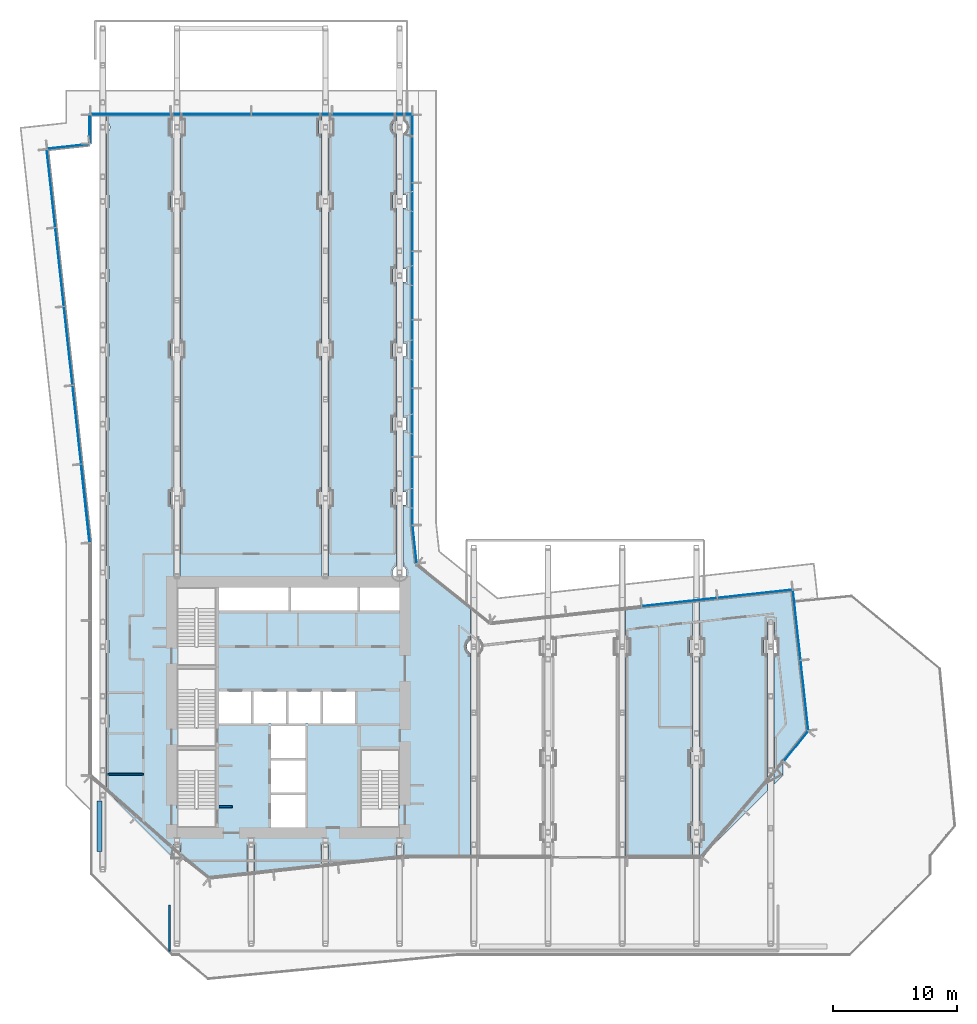
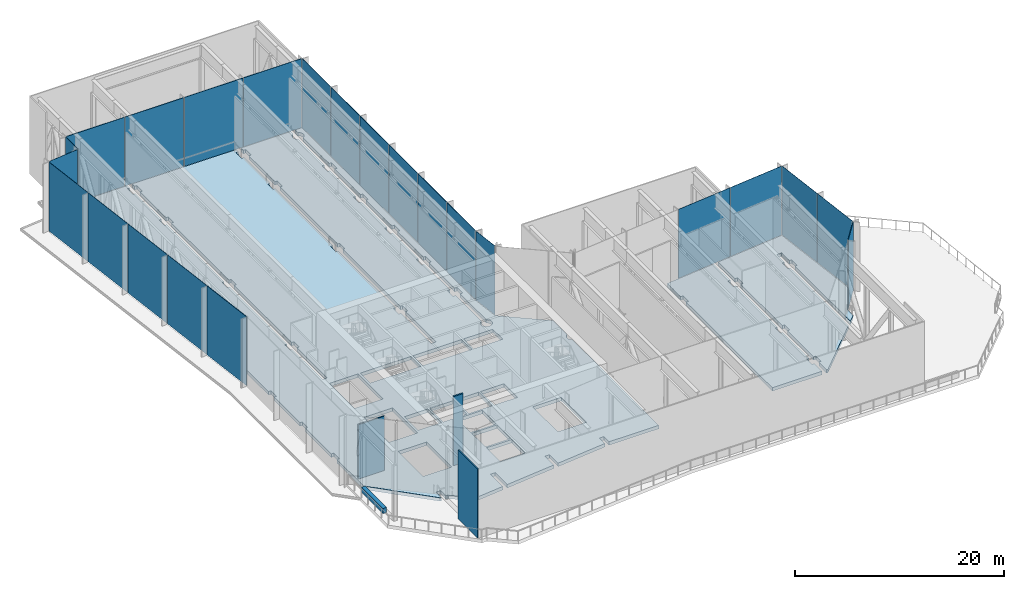
# One storey, part 13 of 25: 23 plates, 4 walls, 3 slabs, 9 elements without a shape of their own.
"""IFC4 building model written with IfcOpenShell, lengths in metres."""

import ifcopenshell
import ifcopenshell.guid

model = None  # the IFC model being written
_history = None  # IfcOwnerHistory: only IFC2X3 demands one
_inside = {}  # id of a spatial element -> (the spatial element, [elements in it])
_under = {}  # id of a project, library or spatial element -> (it, [spatial elements below it])
_declared = {}  # id of a project -> (the project, [libraries it declares])
_typed = {}  # id of a type object -> (the type object, [elements of that type])
_made_of = {}  # id of a material, layer set ... -> (it, [elements and type objects made of it])


def new_model(schema):
    """Start an empty IFC model of exactly this schema.

    Asked for "IFC4X3", IfcOpenShell would pick the latest addendum, in which some entities
    have other attributes; the version numbers below select the first issue.
    IFC2X3 requires an IfcOwnerHistory on every rooted entity: one is made here for all.
    """
    global model, _history
    if schema == "IFC4X3":
        model = ifcopenshell.file(schema_version=(4, 3, 0, 0))
    else:
        model = ifcopenshell.file(schema=schema)
    _inside.clear()
    _under.clear()
    _declared.clear()
    _typed.clear()
    _made_of.clear()
    _history = None
    if model.schema == "IFC2X3":
        org = make("IfcOrganization", Name="unknown")
        user = make(
            "IfcPersonAndOrganization",
            ThePerson=make("IfcPerson", FamilyName="unknown"),
            TheOrganization=org,
        )
        app = make(
            "IfcApplication",
            ApplicationDeveloper=org,
            Version="unknown",
            ApplicationFullName="unknown",
            ApplicationIdentifier="unknown",
        )
        _history = make(
            "IfcOwnerHistory",
            OwningUser=user,
            OwningApplication=app,
            ChangeAction="ADDED",
            CreationDate=0,
        )
    return model


def make(cls, **values):
    """One entity of the class cls with the attributes given. An attribute that is None is left unset."""
    return model.create_entity(
        cls, **{name: value for name, value in values.items() if value is not None}
    )


def rooted(cls, **values):
    """An entity with a GlobalId (a new one), such as an element, a storey or a relation."""
    return make(cls, GlobalId=ifcopenshell.guid.new(), OwnerHistory=_history, **values)


def si_unit(unit_type, name, prefix=None):
    """IfcSIUnit, for example si_unit("LENGTHUNIT", "METRE", prefix="MILLI")."""
    return make("IfcSIUnit", UnitType=unit_type, Prefix=prefix, Name=name)


def assignment(units):
    """IfcUnitAssignment: the units of a project."""
    return None if units is None else make("IfcUnitAssignment", Units=units)


def point(xyz):
    """IfcCartesianPoint."""
    return None if xyz is None else make("IfcCartesianPoint", Coordinates=xyz)


def direction(xyz):
    """IfcDirection."""
    return None if xyz is None else make("IfcDirection", DirectionRatios=xyz)


def frame(location, z_axis=None, x_axis=None):
    """IfcAxis2Placement3D, a coordinate frame: its origin and axes. An axis left out is left unset."""
    return make(
        "IfcAxis2Placement3D",
        Location=point(location),
        Axis=direction(z_axis),
        RefDirection=direction(x_axis),
    )


def frame_2d(location, x_axis=None):
    """IfcAxis2Placement2D, a coordinate frame in the plane: its origin and x axis."""
    return make(
        "IfcAxis2Placement2D", Location=point(location), RefDirection=direction(x_axis)
    )


def origin():
    """The frame at (0, 0, 0) with its axes left unset."""
    return frame((0.0, 0.0, 0.0))


def origin_2d():
    """The frame at (0, 0) in the plane with its x axis left unset."""
    return frame_2d((0.0, 0.0))


def place(relative_to, where):
    """IfcLocalPlacement: puts the frame where relative to a parent placement (None: the world)."""
    return make(
        "IfcLocalPlacement", PlacementRelTo=relative_to, RelativePlacement=where
    )


def context(
    kind, dimensions, precision=None, world=None, true_north=None, identifier=None
):
    """IfcGeometricRepresentationContext, for example the 3D "Model" context."""
    return make(
        "IfcGeometricRepresentationContext",
        ContextIdentifier=identifier,
        ContextType=kind,
        CoordinateSpaceDimension=dimensions,
        Precision=precision,
        WorldCoordinateSystem=world,
        TrueNorth=true_north,
    )


def subcontext(parent, identifier, kind, view, scale=None):
    """IfcGeometricRepresentationSubContext, for example "Body" below "Model"."""
    return make(
        "IfcGeometricRepresentationSubContext",
        ContextIdentifier=identifier,
        ContextType=kind,
        ParentContext=parent,
        TargetScale=scale,
        TargetView=view,
    )


def project(units=None, contexts=None):
    """IfcProject with its units and contexts."""
    return rooted(
        "IfcProject",
        Name="project",
        RepresentationContexts=contexts,
        UnitsInContext=assignment(units),
    )


def spatial(cls, under=None, at=None, **own):
    """A site, building, storey or space (cls), placed at a placement, below another one or the project."""
    s = rooted(cls, ObjectPlacement=at, **own)
    if under is not None:
        _under.setdefault(under.id(), (under, []))[1].append(s)
    return s


def polyline(points):
    """IfcPolyline through the points."""
    return make("IfcPolyline", Points=[point(p) for p in points])


def profile(cls, at=None, kind="AREA", **sizes):
    """A parametric profile (cls). Its sizes go by their IFC names, for example OverallWidth=200.0."""
    return make(cls, ProfileType=kind, Position=at, **sizes)


def rectangle(**sizes):
    """IfcRectangleProfileDef."""
    return profile("IfcRectangleProfileDef", **sizes)


def outline(outer, holes=None, kind="AREA"):
    """IfcArbitraryClosedProfileDef: a profile drawn as a closed curve; with holes, ...WithVoids."""
    if holes is None:
        return make("IfcArbitraryClosedProfileDef", ProfileType=kind, OuterCurve=outer)
    return make(
        "IfcArbitraryProfileDefWithVoids",
        ProfileType=kind,
        OuterCurve=outer,
        InnerCurves=holes,
    )


def extrude(swept, where, along, depth):
    """IfcExtrudedAreaSolid: the profile swept, set in the frame where, extruded along a direction by depth."""
    return make(
        "IfcExtrudedAreaSolid",
        SweptArea=swept,
        Position=where,
        ExtrudedDirection=direction(along),
        Depth=depth,
    )


def shape(context_of_items, identifier, shape_type, items):
    """IfcShapeRepresentation: the items that make up one representation, for example the "Body"."""
    return make(
        "IfcShapeRepresentation",
        ContextOfItems=context_of_items,
        RepresentationIdentifier=identifier,
        RepresentationType=shape_type,
        Items=items,
    )


def material(Name=None, Category=None):
    """IfcMaterial."""
    return make("IfcMaterial", Name=Name, Category=Category)


def layer(
    of_material, thickness, ventilated=None, Name=None, Category=None, Priority=None
):
    """IfcMaterialLayer: one layer of a wall or slab, of a material (None: an air gap)."""
    return make(
        "IfcMaterialLayer",
        Material=of_material,
        LayerThickness=thickness,
        IsVentilated=ventilated,
        Name=Name,
        Category=Category,
        Priority=Priority,
    )


def layer_set(layers, Name=None):
    """IfcMaterialLayerSet."""
    return make("IfcMaterialLayerSet", MaterialLayers=layers, LayerSetName=Name)


def made_of(thing, what):
    """Note that an element or type object is made of a material, layer set ...; save() writes the relation."""
    if what is not None:
        _made_of.setdefault(what.id(), (what, []))[1].append(thing)
    return thing


def type_object(cls, material=None, **own):
    """A type object (cls), such as IfcWallType, which elements share."""
    return made_of(rooted(cls, **own), material)


def element(
    cls,
    number,
    at=None,
    inside=None,
    cuts=None,
    type_object=None,
    material=None,
    context=None,
    identifier="Body",
    shape_type=None,
    held_by="IfcProductDefinitionShape",
    body=None,
    shapes=None,
    **own,
):
    """One element of the class cls, such as IfcWall. Its Tag is "e" and its number.

    at: its placement. inside: the storey or other place that contains it. cuts: it is an
    opening in that element (IfcRelVoidsElement). A single representation is given by context,
    identifier, shape_type and body (its items); several are given by shapes. held_by: the class
    of the entity that holds the representations. save() writes the other relations.
    """
    e = rooted(cls, Tag="e%d" % number, ObjectPlacement=at, **own)
    if body is not None:
        shapes = [shape(context, identifier, shape_type, body)]
    if shapes is not None:
        e.Representation = make(held_by, Representations=shapes)
    if inside is not None:
        _inside.setdefault(inside.id(), (inside, []))[1].append(e)
    if cuts is not None:
        rooted(
            "IfcRelVoidsElement", RelatingBuildingElement=cuts, RelatedOpeningElement=e
        )
    if type_object is not None:
        _typed.setdefault(type_object.id(), (type_object, []))[1].append(e)
    return made_of(e, material)


def aggregate(whole, parts):
    """IfcRelAggregates: a whole, such as a stair, and the parts it consists of."""
    return rooted("IfcRelAggregates", RelatingObject=whole, RelatedObjects=parts)


def save(model, path):
    """Write the relations noted so far, then the file.

    IfcRelAggregates (storeys below a building ...), IfcRelContainedInSpatialStructure (elements
    in a storey), IfcRelDefinesByType, IfcRelAssociatesMaterial and IfcRelDeclares: one each for
    every whole, place, type object, material and project.
    """
    for whole, parts in _under.values():
        aggregate(whole, parts)
    for where, things in _inside.values():
        rooted(
            "IfcRelContainedInSpatialStructure",
            RelatedElements=things,
            RelatingStructure=where,
        )
    for kind, things in _typed.values():
        rooted("IfcRelDefinesByType", RelatedObjects=things, RelatingType=kind)
    for what, things in _made_of.values():
        rooted("IfcRelAssociatesMaterial", RelatedObjects=things, RelatingMaterial=what)
    for by, libraries in _declared.values():
        rooted("IfcRelDeclares", RelatingContext=by, RelatedDefinitions=libraries)
    model.write(path)


model = new_model("IFC4")

# Units and contexts
model_context = context("Model", 3, precision=1e-05, world=origin(), true_north=direction((0.0, 1.0)))
body_context = subcontext(model_context, "Body", "Model", "MODEL_VIEW")
ifc_project = project(units=[si_unit("LENGTHUNIT", "METRE"), si_unit("AREAUNIT", "SQUARE_METRE"), si_unit("VOLUMEUNIT", "CUBIC_METRE"), si_unit("PLANEANGLEUNIT", "RADIAN"), si_unit("MASSUNIT", "GRAM", prefix="KILO")], contexts=[model_context])

# Site, building, storey
site_placement = place(None, origin())
site = spatial("IfcSite", under=ifc_project, at=site_placement, CompositionType="ELEMENT")
building_placement = place(site_placement, origin())
building = spatial("IfcBuilding", under=site, at=building_placement, Name="Welwitschia Terrace Campus", CompositionType="ELEMENT")
storey_placement = place(building_placement, frame((0.0, 0.0, 79.39990234375)))
storey = spatial("IfcBuildingStorey", under=building, at=storey_placement, Name="L18", CompositionType="ELEMENT", Elevation=79.39990234375)

# Curtain wall, plate
ifc_material_1 = material(Name="Bronze anodised aluminium", Category="aluminium")
ifc_layer_1 = layer(ifc_material_1, 0.159912109375)
ifc_layer_set_1 = layer_set([ifc_layer_1], Name="Bronze anodised aluminium")
curtain_wall_type = type_object("IfcCurtainWallType", Name="Curtain wall CW3 commons 6000", PredefinedType="NOTDEFINED", material=ifc_layer_set_1)
curtain_wall_1_placement = place(storey_placement, origin())
curtain_wall_1 = element("IfcCurtainWall", 1, at=curtain_wall_1_placement, inside=storey, type_object=curtain_wall_type, Name="CW L18.2.0", PredefinedType="NOTDEFINED")
ifc_material_2 = material(Name="Tinted bronze-grey glass", Category="glass")
ifc_layer_2 = layer(ifc_material_2, 0.031982421875)
ifc_layer_set_2 = layer_set([ifc_layer_2], Name="Tinted bronze-grey glass")
plate_type_1 = type_object("IfcPlateType", Name="Glass panel 32 tinted", PredefinedType="CURTAIN_PANEL", material=ifc_layer_set_2)
plate_1_placement = place(storey_placement, frame((-2.794677734375, 60.44873046875, 0.0), z_axis=(0.0, 0.0, 1.0), x_axis=(-0.994056338222, -0.108866874852, 0.0)))
plate_1 = element("IfcPlate", 2, at=plate_1_placement, type_object=plate_type_1, Name="Panel L18.2.0.0", PredefinedType="CURTAIN_PANEL", context=body_context, shape_type="SweptSolid", body=[
    extrude(rectangle(XDim=3.390380859375, YDim=0.031982421875, at=origin_2d()), origin(), (0.0, 0.0, 1.0), 8.050048828125),
])
aggregate(curtain_wall_1, [plate_1])

# Curtain wall, plates
curtain_wall_2_placement = place(storey_placement, origin())
curtain_wall_2 = element("IfcCurtainWall", 3, at=curtain_wall_2_placement, inside=storey, type_object=curtain_wall_type, Name="CW L18.3.0", PredefinedType="NOTDEFINED")
plate_2_placement = place(storey_placement, frame((-4.188720703125, 57.056396484375, 0.0), z_axis=(0.0, 0.0, 1.0), x_axis=(0.108866874852, -0.994056338222, 0.0)))
plate_2 = element("IfcPlate", 4, at=plate_2_placement, type_object=plate_type_1, Name="Panel L18.3.0.0", PredefinedType="CURTAIN_PANEL", context=body_context, shape_type="SweptSolid", body=[
    extrude(rectangle(XDim=6.3203125, YDim=0.031982421875, at=origin_2d()), origin(), (0.0, 0.0, 1.0), 8.050048828125),
])
plate_3_placement = place(storey_placement, frame((-3.49267578125, 50.69921875, 0.0), z_axis=(0.0, 0.0, 1.0), x_axis=(0.108866874852, -0.994056338222, 0.0)))
plate_3 = element("IfcPlate", 5, at=plate_3_placement, type_object=plate_type_1, Name="Panel L18.3.0.1", PredefinedType="CURTAIN_PANEL", context=body_context, shape_type="SweptSolid", body=[
    extrude(rectangle(XDim=6.350341796875, YDim=0.031982421875, at=origin_2d()), origin(), (0.0, 0.0, 1.0), 8.050048828125),
])
plate_4_placement = place(storey_placement, frame((-2.794677734375, 44.326904296875, 0.0), z_axis=(0.0, 0.0, 1.0), x_axis=(0.108866874852, -0.994056338222, 0.0)))
plate_4 = element("IfcPlate", 6, at=plate_4_placement, type_object=plate_type_1, Name="Panel L18.3.0.2", PredefinedType="CURTAIN_PANEL", context=body_context, shape_type="SweptSolid", body=[
    extrude(rectangle(XDim=6.350341796875, YDim=0.031982421875, at=origin_2d()), origin(), (0.0, 0.0, 1.0), 8.050048828125),
])
plate_5_placement = place(storey_placement, frame((-2.096923828125, 37.95458984375, 0.0), z_axis=(0.0, 0.0, 1.0), x_axis=(0.108866874852, -0.994056338222, 0.0)))
plate_5 = element("IfcPlate", 7, at=plate_5_placement, type_object=plate_type_1, Name="Panel L18.3.0.3", PredefinedType="CURTAIN_PANEL", context=body_context, shape_type="SweptSolid", body=[
    extrude(rectangle(XDim=6.350341796875, YDim=0.031982421875, at=origin_2d()), origin(), (0.0, 0.0, 1.0), 8.050048828125),
])

curtain_wall_3_placement = place(storey_placement, origin())
curtain_wall_3 = element("IfcCurtainWall", 8, at=curtain_wall_3_placement, inside=storey, type_object=curtain_wall_type, Name="CW L18.11.0", PredefinedType="NOTDEFINED")
plate_6_placement = place(storey_placement, frame((56.735595703125, 16.067138671875, 0.0), z_axis=(0.0, 0.0, 1.0), x_axis=(-0.108866874852, 0.994056338222, 0.0)))
plate_6 = element("IfcPlate", 9, at=plate_6_placement, type_object=plate_type_1, Name="Panel L18.11.0.0", PredefinedType="CURTAIN_PANEL", context=body_context, shape_type="SweptSolid", body=[
    extrude(rectangle(XDim=5.65234375, YDim=0.031982421875, at=origin_2d()), origin(), (0.0, 0.0, 1.0), 8.050048828125),
])
plate_7_placement = place(storey_placement, frame((56.11376953125, 21.74560546875, 0.0), z_axis=(0.0, 0.0, 1.0), x_axis=(-0.108866874852, 0.994056338222, 0.0)))
plate_7 = element("IfcPlate", 10, at=plate_7_placement, type_object=plate_type_1, Name="Panel L18.11.0.1", PredefinedType="CURTAIN_PANEL", context=body_context, shape_type="SweptSolid", body=[
    extrude(rectangle(XDim=5.65234375, YDim=0.031982421875, at=origin_2d()), origin(), (0.0, 0.0, 1.0), 8.050048828125),
])
aggregate(curtain_wall_3, [plate_6, plate_7])

curtain_wall_4_placement = place(storey_placement, origin())
curtain_wall_4 = element("IfcCurtainWall", 11, at=curtain_wall_4_placement, inside=storey, type_object=curtain_wall_type, Name="CW L18.12.0", PredefinedType="NOTDEFINED")
plate_8_placement = place(storey_placement, frame((52.72607421875, 24.278076171875, 0.0), z_axis=(0.0, 0.0, 1.0), x_axis=(-0.994056338222, -0.108866874852, 0.0)))
plate_8 = element("IfcPlate", 12, at=plate_8_placement, type_object=plate_type_1, Name="Panel L18.12.0.0", PredefinedType="CURTAIN_PANEL", context=body_context, shape_type="SweptSolid", body=[
    extrude(rectangle(XDim=6.063720703125, YDim=0.031982421875, at=origin_2d()), origin(), (0.0, 0.0, 1.0), 8.050048828125),
])
plate_9_placement = place(storey_placement, frame((46.623779296875, 23.609619140625, 0.0), z_axis=(0.0, 0.0, 1.0), x_axis=(-0.994056338222, -0.108866874852, 0.0)))
plate_9 = element("IfcPlate", 13, at=plate_9_placement, type_object=plate_type_1, Name="Panel L18.12.0.1", PredefinedType="CURTAIN_PANEL", context=body_context, shape_type="SweptSolid", body=[
    extrude(rectangle(XDim=6.09375, YDim=0.031982421875, at=origin_2d()), origin(), (0.0, 0.0, 1.0), 8.050048828125),
])
aggregate(curtain_wall_4, [plate_8, plate_9])

# Curtain wall, plate
curtain_wall_5_placement = place(storey_placement, origin())
curtain_wall_5 = element("IfcCurtainWall", 14, at=curtain_wall_5_placement, inside=storey, type_object=curtain_wall_type, Name="CW L18.14.0", PredefinedType="NOTDEFINED")
plate_10_placement = place(storey_placement, frame((25.220703125, 28.26123046875, 0.0), z_axis=(0.0, 0.0, 1.0), x_axis=(-0.108866874852, 0.994056338222, 0.0)))
plate_10 = element("IfcPlate", 15, at=plate_10_placement, type_object=plate_type_1, Name="Panel L18.14.0.0", PredefinedType="CURTAIN_PANEL", context=body_context, shape_type="SweptSolid", body=[
    extrude(rectangle(XDim=3.01806640625, YDim=0.031982421875, at=origin_2d()), origin(), (0.0, 0.0, 1.0), 8.050048828125),
])
aggregate(curtain_wall_5, [plate_10])

# Curtain wall, plates
curtain_wall_6_placement = place(storey_placement, origin())
curtain_wall_6 = element("IfcCurtainWall", 16, at=curtain_wall_6_placement, inside=storey, type_object=curtain_wall_type, Name="CW L18.0.0", PredefinedType="NOTDEFINED")
ifc_material_3 = material(Name="Bronze anodised insulated metal panel")
ifc_layer_3 = layer(ifc_material_3, 0.06005859375)
ifc_layer_set_3 = layer_set([ifc_layer_3], Name="Bronze anodised insulated metal panel")
plate_type_2 = type_object("IfcPlateType", Name="Insulated metal panel 60", PredefinedType="CURTAIN_PANEL", material=ifc_layer_set_3)
plate_11_placement = place(storey_placement, frame((21.7724609375, 63.050048828125, 0.0), z_axis=(0.0, 0.0, 1.0), x_axis=(-1.0, 0.0, 0.0)))
plate_11 = element("IfcPlate", 17, at=plate_11_placement, type_object=plate_type_2, Name="Panel L18.0.0.0", PredefinedType="CURTAIN_PANEL", context=body_context, shape_type="SweptSolid", body=[
    extrude(rectangle(XDim=6.43505859375, YDim=0.06005859375, at=origin_2d()), origin(), (0.0, 0.0, 1.0), 8.050048828125),
])
plate_12_placement = place(storey_placement, frame((15.262451171875, 63.050048828125, 0.0), z_axis=(0.0, 0.0, 1.0), x_axis=(-1.0, 0.0, 0.0)))
plate_12 = element("IfcPlate", 18, at=plate_12_placement, type_object=plate_type_2, Name="Panel L18.0.0.1", PredefinedType="CURTAIN_PANEL", context=body_context, shape_type="SweptSolid", body=[
    extrude(rectangle(XDim=6.465087890625, YDim=0.06005859375, at=origin_2d()), origin(), (0.0, 0.0, 1.0), 8.050048828125),
])
plate_13_placement = place(storey_placement, frame((8.737548828125, 63.050048828125, 0.0), z_axis=(0.0, 0.0, 1.0), x_axis=(-1.0, 0.0, 0.0)))
plate_13 = element("IfcPlate", 19, at=plate_13_placement, type_object=plate_type_2, Name="Panel L18.0.0.2", PredefinedType="CURTAIN_PANEL", context=body_context, shape_type="SweptSolid", body=[
    extrude(rectangle(XDim=6.465087890625, YDim=0.06005859375, at=origin_2d()), origin(), (0.0, 0.0, 1.0), 8.050048828125),
])
plate_14_placement = place(storey_placement, frame((2.2275390625, 63.050048828125, 0.0), z_axis=(0.0, 0.0, 1.0), x_axis=(-1.0, 0.0, 0.0)))
plate_14 = element("IfcPlate", 20, at=plate_14_placement, type_object=plate_type_2, Name="Panel L18.0.0.3", PredefinedType="CURTAIN_PANEL", context=body_context, shape_type="SweptSolid", body=[
    extrude(rectangle(XDim=6.43505859375, YDim=0.06005859375, at=origin_2d()), origin(), (0.0, 0.0, 1.0), 8.050048828125),
])
aggregate(curtain_wall_6, [plate_11, plate_12, plate_13, plate_14])

# Curtain wall, plate
curtain_wall_7_placement = place(storey_placement, origin())
curtain_wall_7 = element("IfcCurtainWall", 21, at=curtain_wall_7_placement, inside=storey, type_object=curtain_wall_type, Name="CW L18.1.0", PredefinedType="NOTDEFINED")
plate_15_placement = place(storey_placement, frame((-1.050048828125, 61.844970703125, 0.0), z_axis=(0.0, 0.0, 1.0), x_axis=(0.0, -1.0, 0.0)))
plate_15 = element("IfcPlate", 22, at=plate_15_placement, type_object=plate_type_2, Name="Panel L18.1.0.0", PredefinedType="CURTAIN_PANEL", context=body_context, shape_type="SweptSolid", body=[
    extrude(rectangle(XDim=2.290283203125, YDim=0.06005859375, at=origin_2d()), origin(), (0.0, 0.0, 1.0), 8.050048828125),
])
aggregate(curtain_wall_7, [plate_15])

# Plate
plate_16_placement = place(storey_placement, frame((-1.400634765625, 31.59716796875, 0.0), z_axis=(0.0, 0.0, 1.0), x_axis=(0.108866874852, -0.994056338222, 0.0)))
plate_16 = element("IfcPlate", 23, at=plate_16_placement, type_object=plate_type_2, Name="Panel L18.3.0.4", PredefinedType="CURTAIN_PANEL", context=body_context, shape_type="SweptSolid", body=[
    extrude(rectangle(XDim=6.3203125, YDim=0.06005859375, at=origin_2d()), origin(), (0.0, 0.0, 1.0), 8.050048828125),
])

aggregate(curtain_wall_2, [plate_2, plate_3, plate_4, plate_5, plate_16])

# Curtain wall, plate
curtain_wall_8_placement = place(storey_placement, origin())
curtain_wall_8 = element("IfcCurtainWall", 24, at=curtain_wall_8_placement, inside=storey, type_object=curtain_wall_type, Name="CW L18.10.0", PredefinedType="NOTDEFINED")
plate_17_placement = place(storey_placement, frame((56.050048828125, 11.9521484375, 0.0), z_axis=(0.0, 0.0, 1.0), x_axis=(0.625923472184, 0.779884483093, 0.0)))
plate_17 = element("IfcPlate", 25, at=plate_17_placement, type_object=plate_type_2, Name="Panel L18.10.0.0", PredefinedType="CURTAIN_PANEL", context=body_context, shape_type="SweptSolid", body=[
    extrude(rectangle(XDim=3.0751953125, YDim=0.06005859375, at=origin_2d()), origin(), (0.0, 0.0, 1.0), 8.050048828125),
])
aggregate(curtain_wall_8, [plate_17])

# Curtain wall, plates
curtain_wall_9_placement = place(storey_placement, origin())
curtain_wall_9 = element("IfcCurtainWall", 26, at=curtain_wall_9_placement, inside=storey, type_object=curtain_wall_type, Name="CW L18.15.0", PredefinedType="NOTDEFINED")
plate_18_placement = place(storey_placement, frame((25.050048828125, 32.60498046875, 0.0), z_axis=(0.0, 0.0, 1.0), x_axis=(0.0, 1.0, 0.0)))
plate_18 = element("IfcPlate", 27, at=plate_18_placement, type_object=plate_type_2, Name="Panel L18.15.0.0", PredefinedType="CURTAIN_PANEL", context=body_context, shape_type="SweptSolid", body=[
    extrude(rectangle(XDim=5.4482421875, YDim=0.06005859375, at=origin_2d()), origin(), (0.0, 0.0, 1.0), 8.050048828125),
])
plate_19_placement = place(storey_placement, frame((25.050048828125, 38.128173828125, 0.0), z_axis=(0.0, 0.0, 1.0), x_axis=(0.0, 1.0, 0.0)))
plate_19 = element("IfcPlate", 28, at=plate_19_placement, type_object=plate_type_2, Name="Panel L18.15.0.1", PredefinedType="CURTAIN_PANEL", context=body_context, shape_type="SweptSolid", body=[
    extrude(rectangle(XDim=5.478271484375, YDim=0.06005859375, at=origin_2d()), origin(), (0.0, 0.0, 1.0), 8.050048828125),
])
plate_20_placement = place(storey_placement, frame((25.050048828125, 43.66650390625, 0.0), z_axis=(0.0, 0.0, 1.0), x_axis=(0.0, 1.0, 0.0)))
plate_20 = element("IfcPlate", 29, at=plate_20_placement, type_object=plate_type_2, Name="Panel L18.15.0.2", PredefinedType="CURTAIN_PANEL", context=body_context, shape_type="SweptSolid", body=[
    extrude(rectangle(XDim=5.478271484375, YDim=0.06005859375, at=origin_2d()), origin(), (0.0, 0.0, 1.0), 8.050048828125),
])
plate_21_placement = place(storey_placement, frame((25.050048828125, 49.20458984375, 0.0), z_axis=(0.0, 0.0, 1.0), x_axis=(0.0, 1.0, 0.0)))
plate_21 = element("IfcPlate", 30, at=plate_21_placement, type_object=plate_type_2, Name="Panel L18.15.0.3", PredefinedType="CURTAIN_PANEL", context=body_context, shape_type="SweptSolid", body=[
    extrude(rectangle(XDim=5.478271484375, YDim=0.06005859375, at=origin_2d()), origin(), (0.0, 0.0, 1.0), 8.050048828125),
])
plate_22_placement = place(storey_placement, frame((25.050048828125, 54.74267578125, 0.0), z_axis=(0.0, 0.0, 1.0), x_axis=(0.0, 1.0, 0.0)))
plate_22 = element("IfcPlate", 31, at=plate_22_placement, type_object=plate_type_2, Name="Panel L18.15.0.4", PredefinedType="CURTAIN_PANEL", context=body_context, shape_type="SweptSolid", body=[
    extrude(rectangle(XDim=5.478271484375, YDim=0.06005859375, at=origin_2d()), origin(), (0.0, 0.0, 1.0), 8.050048828125),
])
plate_23_placement = place(storey_placement, frame((25.050048828125, 60.265869140625, 0.0), z_axis=(0.0, 0.0, 1.0), x_axis=(0.0, 1.0, 0.0)))
plate_23 = element("IfcPlate", 32, at=plate_23_placement, type_object=plate_type_2, Name="Panel L18.15.0.5", PredefinedType="CURTAIN_PANEL", context=body_context, shape_type="SweptSolid", body=[
    extrude(rectangle(XDim=5.4482421875, YDim=0.06005859375, at=origin_2d()), origin(), (0.0, 0.0, 1.0), 8.050048828125),
])
aggregate(curtain_wall_9, [plate_18, plate_19, plate_20, plate_21, plate_22, plate_23])

# Slabs
ifc_material_4 = material(Name="Concrete C40/50", Category="concrete")
ifc_layer_4 = layer(ifc_material_4, 0.39990234375)
ifc_layer_set_4 = layer_set([ifc_layer_4], Name="Concrete C40/50")
slab_type = type_object("IfcSlabType", Name="Suspended floor slab 400", PredefinedType="FLOOR", material=ifc_layer_set_4)
slab_1_placement = place(storey_placement, frame((0.0, 0.0, -0.39990234375)))
element("IfcSlab", 33, at=slab_1_placement, inside=storey, type_object=slab_type, Name="Floor slab L18", PredefinedType="FLOOR", context=body_context, shape_type="SweptSolid", body=[
    extrude(outline(polyline([(25.0, 29.818359375), (25.34423828125, 26.675537109375), (29.739990234375, 23.1474609375), (29.739990234375, 20.509765625), (29.6806640625, 20.47802734375), (29.593505859375, 20.406494140625), (29.52197265625, 20.3193359375), (29.46875, 20.219970703125), (29.43603515625, 20.112060546875), (29.425048828125, 20.0), (29.43603515625, 19.887939453125), (29.46875, 19.780029296875), (29.52197265625, 19.6806640625), (29.593505859375, 19.593505859375), (29.6806640625, 19.52197265625), (29.739990234375, 19.490234375), (29.739990234375, 3.014892578125), (24.260009765625, 3.014892578125), (24.260009765625, 4.0), (23.739990234375, 4.0), (23.739990234375, 2.947509765625), (23.72705078125, 2.947509765625), (23.73828125, 2.96044921875), (23.73828125, 2.96044921875), (18.260009765625, 2.360595703125), (18.260009765625, 4.0), (17.739990234375, 4.0), (17.739990234375, 2.29052734375), (17.72705078125, 2.29052734375), (17.73828125, 2.30322265625), (17.73828125, 2.303466796875), (12.260009765625, 1.703369140625), (12.260009765625, 4.0), (11.739990234375, 4.0), (11.739990234375, 1.63330078125), (11.72705078125, 1.63330078125), (11.73828125, 1.646240234375), (11.73828125, 1.646240234375), (8.598876953125, 1.302490234375), (6.46923828125, 3.01171875), (6.468017578125, 3.012451171875), (6.466796875, 3.01318359375), (6.465576171875, 3.013916015625), (6.464111328125, 3.014404296875), (6.462890625, 3.0146484375), (6.46142578125, 3.014892578125), (6.4599609375, 3.014892578125), (6.260009765625, 3.014892578125), (6.260009765625, 4.0), (5.739990234375, 4.0), (5.739990234375, 3.014892578125), (5.592041015625, 3.014892578125), (0.2705078125, 8.33642578125), (0.2705078125, 8.336181640625), (0.273681640625, 8.32861328125), (0.260009765625, 8.32861328125), (0.260009765625, 13.47509765625), (0.52490234375, 13.47509765625), (0.52490234375, 14.52490234375), (0.260009765625, 14.52490234375), (0.260009765625, 19.47509765625), (0.52490234375, 19.47509765625), (0.52490234375, 20.52490234375), (0.260009765625, 20.52490234375), (0.260009765625, 25.47509765625), (0.52490234375, 25.47509765625), (0.52490234375, 26.52490234375), (0.260009765625, 26.52490234375), (0.260009765625, 31.47509765625), (0.52490234375, 31.47509765625), (0.52490234375, 32.52490234375), (0.260009765625, 32.52490234375), (0.260009765625, 37.47509765625), (0.52490234375, 37.47509765625), (0.52490234375, 38.52490234375), (0.260009765625, 38.52490234375), (0.260009765625, 43.47509765625), (0.52490234375, 43.47509765625), (0.52490234375, 44.52490234375), (0.260009765625, 44.52490234375), (0.260009765625, 49.47509765625), (0.52490234375, 49.47509765625), (0.52490234375, 50.52490234375), (0.260009765625, 50.52490234375), (0.260009765625, 55.47509765625), (0.52490234375, 55.47509765625), (0.52490234375, 56.52490234375), (0.260009765625, 56.52490234375), (0.260009765625, 61.490234375), (0.3193359375, 61.52197265625), (0.406494140625, 61.593505859375), (0.47802734375, 61.6806640625), (0.53125, 61.780029296875), (0.56396484375, 61.887939453125), (0.574951171875, 62.0), (0.56396484375, 62.112060546875), (0.53125, 62.219970703125), (0.47802734375, 62.3193359375), (0.406494140625, 62.406494140625), (0.3193359375, 62.47802734375), (0.260009765625, 62.509765625), (0.260009765625, 63.0), (5.739990234375, 63.0), (5.739990234375, 62.52490234375), (5.47509765625, 62.52490234375), (5.47509765625, 61.47509765625), (5.739990234375, 61.47509765625), (5.739990234375, 56.5), (5.5, 56.5), (5.5, 55.5), (5.739990234375, 55.5), (5.739990234375, 44.5), (5.5, 44.5), (5.5, 43.5), (5.739990234375, 43.5), (5.739990234375, 32.5), (5.5, 32.5), (5.5, 31.5), (5.739990234375, 31.5), (5.739990234375, 25.699951171875), (6.260009765625, 25.699951171875), (6.260009765625, 31.5), (6.5, 31.5), (6.5, 32.5), (6.260009765625, 32.5), (6.260009765625, 43.5), (6.5, 43.5), (6.5, 44.5), (6.260009765625, 44.5), (6.260009765625, 55.5), (6.5, 55.5), (6.5, 56.5), (6.260009765625, 56.5), (6.260009765625, 61.47509765625), (6.52490234375, 61.47509765625), (6.52490234375, 62.52490234375), (6.260009765625, 62.52490234375), (6.260009765625, 63.0), (17.739990234375, 63.0), (17.739990234375, 62.52490234375), (17.47509765625, 62.52490234375), (17.47509765625, 61.47509765625), (17.739990234375, 61.47509765625), (17.739990234375, 56.5), (17.5, 56.5), (17.5, 55.5), (17.739990234375, 55.5), (17.739990234375, 44.5), (17.5, 44.5), (17.5, 43.5), (17.739990234375, 43.5), (17.739990234375, 32.5), (17.5, 32.5), (17.5, 31.5), (17.739990234375, 31.5), (17.739990234375, 25.699951171875), (18.260009765625, 25.699951171875), (18.260009765625, 31.5), (18.5, 31.5), (18.5, 32.5), (18.260009765625, 32.5), (18.260009765625, 43.5), (18.5, 43.5), (18.5, 44.5), (18.260009765625, 44.5), (18.260009765625, 55.5), (18.5, 55.5), (18.5, 56.5), (18.260009765625, 56.5), (18.260009765625, 61.47509765625), (18.52490234375, 61.47509765625), (18.52490234375, 62.52490234375), (18.260009765625, 62.52490234375), (18.260009765625, 63.0), (23.739990234375, 63.0), (23.739990234375, 62.509765625), (23.6806640625, 62.47802734375), (23.593505859375, 62.406494140625), (23.52197265625, 62.3193359375), (23.46875, 62.219970703125), (23.43603515625, 62.112060546875), (23.425048828125, 62.0), (23.43603515625, 61.887939453125), (23.46875, 61.780029296875), (23.52197265625, 61.6806640625), (23.593505859375, 61.593505859375), (23.6806640625, 61.52197265625), (23.739990234375, 61.490234375), (23.739990234375, 56.52490234375), (23.47509765625, 56.52490234375), (23.47509765625, 55.47509765625), (23.739990234375, 55.47509765625), (23.739990234375, 50.52490234375), (23.47509765625, 50.52490234375), (23.47509765625, 49.47509765625), (23.739990234375, 49.47509765625), (23.739990234375, 44.52490234375), (23.47509765625, 44.52490234375), (23.47509765625, 43.47509765625), (23.739990234375, 43.47509765625), (23.739990234375, 38.52490234375), (23.47509765625, 38.52490234375), (23.47509765625, 37.47509765625), (23.739990234375, 37.47509765625), (23.739990234375, 32.52490234375), (23.47509765625, 32.52490234375), (23.47509765625, 31.47509765625), (23.739990234375, 31.47509765625), (23.739990234375, 26.509765625), (23.6806640625, 26.47802734375), (23.593505859375, 26.406494140625), (23.52197265625, 26.3193359375), (23.46875, 26.219970703125), (23.43603515625, 26.112060546875), (23.425048828125, 26.0), (23.43603515625, 25.887939453125), (23.46875, 25.780029296875), (23.52197265625, 25.6806640625), (23.593505859375, 25.593505859375), (23.6806640625, 25.52197265625), (23.780029296875, 25.46875), (23.887939453125, 25.43603515625), (24.0, 25.425048828125), (24.112060546875, 25.43603515625), (24.219970703125, 25.46875), (24.3193359375, 25.52197265625), (24.406494140625, 25.593505859375), (24.47802734375, 25.6806640625), (24.53125, 25.780029296875), (24.56396484375, 25.887939453125), (24.574951171875, 26.0), (24.56396484375, 26.112060546875), (24.53125, 26.219970703125), (24.47802734375, 26.3193359375), (24.406494140625, 26.406494140625), (24.3193359375, 26.47802734375), (24.260009765625, 26.509765625), (24.260009765625, 31.47509765625), (24.52490234375, 31.47509765625), (24.52490234375, 32.52490234375), (24.260009765625, 32.52490234375), (24.260009765625, 37.47509765625), (24.52490234375, 37.47509765625), (24.52490234375, 38.52490234375), (24.260009765625, 38.52490234375), (24.260009765625, 43.47509765625), (24.52490234375, 43.47509765625), (24.52490234375, 44.52490234375), (24.260009765625, 44.52490234375), (24.260009765625, 49.47509765625), (24.52490234375, 49.47509765625), (24.52490234375, 50.52490234375), (24.260009765625, 50.52490234375), (24.260009765625, 55.47509765625), (24.52490234375, 55.47509765625), (24.52490234375, 56.52490234375), (24.260009765625, 56.52490234375), (24.260009765625, 61.490234375), (24.3193359375, 61.52197265625), (24.406494140625, 61.593505859375), (24.47802734375, 61.6806640625), (24.53125, 61.780029296875), (24.56396484375, 61.887939453125), (24.574951171875, 62.0), (24.56396484375, 62.112060546875), (24.53125, 62.219970703125), (24.47802734375, 62.3193359375), (24.406494140625, 62.406494140625), (24.3193359375, 62.47802734375), (24.260009765625, 62.509765625), (24.260009765625, 63.0), (25.0, 63.0), (25.0, 29.818359375)]), holes=[polyline([(9.14990234375, 6.902099609375), (9.14990234375, 11.699951171875), (6.0, 11.699951171875), (6.0, 6.902099609375), (9.14990234375, 6.902099609375)]), polyline([(12.0, 13.800048828125), (12.0, 16.39990234375), (9.39990234375, 16.39990234375), (9.39990234375, 13.800048828125), (12.0, 13.800048828125)]), polyline([(9.14990234375, 13.451904296875), (9.14990234375, 18.25), (6.0, 18.25), (6.0, 13.451904296875), (9.14990234375, 13.451904296875)]), polyline([(9.14990234375, 20.001953125), (9.14990234375, 24.800048828125), (6.0, 24.800048828125), (6.0, 20.001953125), (9.14990234375, 20.001953125)]), polyline([(16.39990234375, 5.39990234375), (16.39990234375, 8.0), (13.60009765625, 8.0), (13.60009765625, 5.39990234375), (16.39990234375, 5.39990234375)]), polyline([(24.0, 6.902099609375), (24.0, 11.699951171875), (20.85009765625, 11.699951171875), (20.85009765625, 6.902099609375), (24.0, 6.902099609375)]), polyline([(16.39990234375, 8.199951171875), (16.39990234375, 10.800048828125), (13.60009765625, 10.800048828125), (13.60009765625, 8.199951171875), (16.39990234375, 8.199951171875)]), polyline([(16.39990234375, 11.0), (16.39990234375, 13.60009765625), (13.60009765625, 13.60009765625), (13.60009765625, 11.0), (16.39990234375, 11.0)]), polyline([(14.800048828125, 13.800048828125), (14.800048828125, 16.39990234375), (12.199951171875, 16.39990234375), (12.199951171875, 13.800048828125), (14.800048828125, 13.800048828125)]), polyline([(17.60009765625, 13.800048828125), (17.60009765625, 16.39990234375), (15.0, 16.39990234375), (15.0, 13.800048828125), (17.60009765625, 13.800048828125)]), polyline([(20.39990234375, 13.800048828125), (20.39990234375, 16.39990234375), (17.800048828125, 16.39990234375), (17.800048828125, 13.800048828125), (20.39990234375, 13.800048828125)]), polyline([(15.0, 22.89990234375), (15.0, 24.800048828125), (9.39990234375, 24.800048828125), (9.39990234375, 22.89990234375), (15.0, 22.89990234375)]), polyline([(20.60009765625, 24.800048828125), (15.199951171875, 24.800048828125), (15.199951171875, 22.89990234375), (20.60009765625, 22.89990234375), (20.60009765625, 24.800048828125)]), polyline([(24.0, 22.89990234375), (24.0, 24.800048828125), (20.800048828125, 24.800048828125), (20.800048828125, 22.89990234375), (24.0, 22.89990234375)])]), origin(), (0.0, 0.0, 1.0), 0.39990234375),
])
slab_2_placement = place(storey_placement, frame((0.0, 0.0, -0.39990234375)))
element("IfcSlab", 34, at=slab_2_placement, inside=storey, type_object=slab_type, Name="Floor slab L18", PredefinedType="FLOOR", context=body_context, shape_type="SweptSolid", body=[
    extrude(outline(polyline([(42.260009765625, 19.47509765625), (42.52490234375, 19.47509765625), (42.52490234375, 20.52490234375), (42.260009765625, 20.52490234375), (42.260009765625, 23.08154296875), (47.739990234375, 23.681640625), (47.739990234375, 20.52490234375), (47.47509765625, 20.52490234375), (47.47509765625, 19.47509765625), (47.739990234375, 19.47509765625), (47.739990234375, 11.5), (47.5, 11.5), (47.5, 10.5), (47.739990234375, 10.5), (47.739990234375, 5.5), (47.5, 5.5), (47.5, 4.5), (47.739990234375, 4.5), (47.739990234375, 3.014892578125), (42.260009765625, 3.014892578125), (42.260009765625, 19.47509765625)])), origin(), (0.0, 0.0, 1.0), 0.39990234375),
])
slab_3_placement = place(storey_placement, frame((0.0, 0.0, -0.39990234375)))
element("IfcSlab", 35, at=slab_3_placement, inside=storey, type_object=slab_type, Name="Floor slab L18", PredefinedType="FLOOR", context=body_context, shape_type="SweptSolid", body=[
    extrude(outline(polyline([(48.260009765625, 4.5), (48.5, 4.5), (48.5, 5.5), (48.260009765625, 5.5), (48.260009765625, 10.5), (48.5, 10.5), (48.5, 11.5), (48.260009765625, 11.5), (48.260009765625, 19.47509765625), (48.52490234375, 19.47509765625), (48.52490234375, 20.52490234375), (48.260009765625, 20.52490234375), (48.260009765625, 23.738525390625), (55.75537109375, 24.5595703125), (55.84521484375, 23.738525390625), (55.830322265625, 23.73681640625), (56.982421875, 13.2177734375), (54.98828125, 10.733154296875), (54.987548828125, 10.73193359375), (54.98681640625, 10.730712890625), (54.986083984375, 10.7294921875), (54.985595703125, 10.72802734375), (54.9853515625, 10.7265625), (54.985107421875, 10.72509765625), (54.985107421875, 10.7236328125), (54.985107421875, 9.592041015625), (54.260009765625, 8.866943359375), (54.260009765625, 19.47509765625), (54.52490234375, 19.47509765625), (54.52490234375, 20.52490234375), (54.260009765625, 20.52490234375), (54.260009765625, 22.0), (53.739990234375, 22.0), (53.739990234375, 20.52490234375), (53.47509765625, 20.52490234375), (53.47509765625, 19.47509765625), (53.739990234375, 19.47509765625), (53.739990234375, 8.32861328125), (53.726318359375, 8.32861328125), (53.7294921875, 8.336181640625), (53.7294921875, 8.33642578125), (48.407958984375, 3.014892578125), (48.260009765625, 3.014892578125), (48.260009765625, 4.5)])), origin(), (0.0, 0.0, 1.0), 0.39990234375),
])

# Walls
ifc_material_5 = material(Name="Concrete C40/50", Category="concrete")
ifc_layer_5 = layer(ifc_material_5, 0.139892578125)
ifc_layer_set_5 = layer_set([ifc_layer_5], Name="Concrete C40/50")
wall_type_1 = type_object("IfcWallType", Name="Clad wall 140", PredefinedType="SOLIDWALL", material=ifc_layer_set_5)
wall_1_placement = place(storey_placement, frame((5.39990234375, -0.89990234375, 0.0), z_axis=(0.0, 0.0, 1.0), x_axis=(0.0, -1.0, 0.0)))
element("IfcWall", 36, at=wall_1_placement, inside=storey, type_object=wall_type_1, Name="Clad wall L18.tip fascia Sb1 w", PredefinedType="SOLIDWALL", context=body_context, shape_type="SweptSolid", body=[
    extrude(rectangle(XDim=3.7001953125, YDim=0.139892578125, at=frame_2d((1.85009765625, 0.0))), origin(), (0.0, 0.0, 1.0), 8.050048828125),
])
ifc_material_6 = material(Name="Concrete C50/60", Category="concrete")
ifc_layer_6 = layer(ifc_material_6, 0.14990234375)
ifc_layer_set_6 = layer_set([ifc_layer_6], Name="Concrete C50/60")
wall_type_2 = type_object("IfcWallType", Name="Core wall 150 Concrete C50/60", PredefinedType="SHEAR", material=ifc_layer_set_6)
wall_2_placement = place(storey_placement, frame((9.39990234375, 7.074951171875, 0.0), z_axis=(0.0, 0.0, 1.0), x_axis=(1.0, 0.0, 0.0)))
element("IfcWall", 37, at=wall_2_placement, inside=storey, type_object=wall_type_2, Name="Core wall", PredefinedType="SHEAR", context=body_context, shape_type="SweptSolid", body=[
    extrude(rectangle(XDim=1.050048828125, YDim=0.14990234375, at=frame_2d((0.52490234375, 0.0))), origin(), (0.0, 0.0, 1.0), 8.050048828125),
])
ifc_material_7 = material(Name="Gypsum board on steel studs", Category="steel")
ifc_layer_7 = layer(ifc_material_7, 0.14990234375)
ifc_layer_set_7 = layer_set([ifc_layer_7], Name="Gypsum board on steel studs")
wall_type_3 = type_object("IfcWallType", Name="Corridor partition 150 EI 30", PredefinedType="PARTITIONING", material=ifc_layer_set_7)
wall_3_placement = place(storey_placement, frame((0.39990234375, 9.68994140625, 0.0), z_axis=(0.0, 0.0, 1.0), x_axis=(1.0, 0.0, 0.0)))
element("IfcWall", 38, at=wall_3_placement, inside=storey, type_object=wall_type_3, Name="Partition", PredefinedType="PARTITIONING", context=body_context, shape_type="SweptSolid", body=[
    extrude(rectangle(XDim=2.900146484375, YDim=0.14990234375, at=frame_2d((1.4501953125, 0.0))), origin(), (0.0, 0.0, 1.0), 6.330078125),
])
ifc_material_8 = material(Name="Concrete C40/50", Category="concrete")
ifc_layer_8 = layer(ifc_material_8, 0.39990234375)
ifc_layer_set_8 = layer_set([ifc_layer_8], Name="Concrete C40/50")
wall_type_4 = type_object("IfcWallType", Name="Planter wall 400", PredefinedType="SOLIDWALL", material=ifc_layer_set_8)
wall_4_placement = place(storey_placement, frame((-0.25, 3.42724609375, 0.0), z_axis=(0.0, 0.0, 1.0), x_axis=(0.0, 1.0, 0.0)))
element("IfcWall", 39, at=wall_4_placement, inside=storey, type_object=wall_type_4, Name="PLANTER", PredefinedType="SOLIDWALL", context=body_context, shape_type="SweptSolid", body=[
    extrude(rectangle(XDim=4.1171875, YDim=0.39990234375, at=frame_2d((2.05859375, 0.0))), origin(), (0.0, 0.0, 1.0), 0.60009765625),
])

save(model, "model.ifc")
